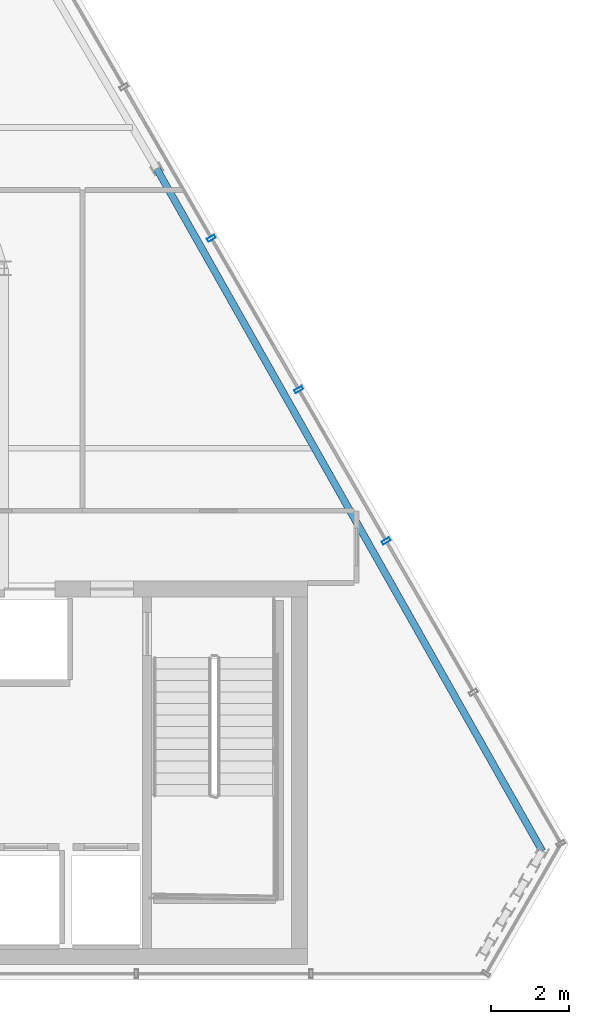
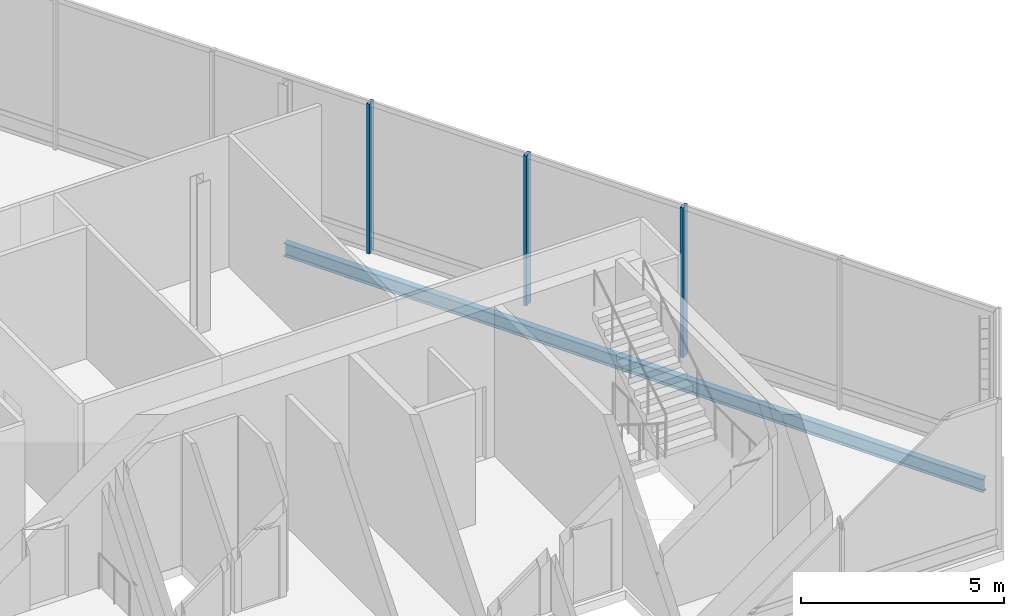
# One storey, part 15 of 25: 3 members, 1 beam, 1 element without a shape of its own.
"""IFC4 building model written with IfcOpenShell, lengths in metres."""

from ifc_helpers import new_model, si_unit, direction, frame, origin, origin_2d, place, context, subcontext, project, spatial, hollow_rectangle, i_section, extrude, material, layer, layer_set, material_profile, profile_set, type_object, element, aggregate, save


model = new_model("IFC4")

# Units and contexts
model_context = context("Model", 3, precision=1e-05, world=origin(), true_north=direction((0.0, 1.0)))
body_context = subcontext(model_context, "Body", "Model", "MODEL_VIEW")
ifc_project = project(units=[si_unit("LENGTHUNIT", "METRE"), si_unit("AREAUNIT", "SQUARE_METRE"), si_unit("VOLUMEUNIT", "CUBIC_METRE"), si_unit("PLANEANGLEUNIT", "RADIAN"), si_unit("MASSUNIT", "GRAM", prefix="KILO")], contexts=[model_context])

# Site, building, storey
site_placement = place(None, origin())
site = spatial("IfcSite", under=ifc_project, at=site_placement, CompositionType="ELEMENT")
building_placement = place(site_placement, origin())
building = spatial("IfcBuilding", under=site, at=building_placement, Name="Ndaravel Arena Tower", CompositionType="ELEMENT")
storey_placement = place(building_placement, frame((0.0, 0.0, 298.5)))
storey = spatial("IfcBuildingStorey", under=building, at=storey_placement, Name="L73", CompositionType="ELEMENT", Elevation=298.5)

# Beam
ifc_material_1 = material(Name="Steel S355", Category="steel")
ifc_material_profile_1 = material_profile(ifc_material_1, i_section(OverallWidth=0.179931640625, OverallDepth=0.39990234375, WebThickness=0.008544921875, FlangeThickness=0.013427734375, FilletRadius=0.02099609375, at=origin_2d()), Name="IPE 400")
ifc_profile_set_1 = profile_set([ifc_material_profile_1], Name="Steel S355")
beam_type = type_object("IfcBeamType", Name="BM-SPAN-IPE400", PredefinedType="SPANDREL", material=ifc_profile_set_1)
beam_placement = place(storey_placement, frame((63.556884765625, 8.29736328125, -0.47998046875), z_axis=(-0.491859734606, 0.870674452062, 0.0), x_axis=(-0.870674452062, -0.491859734606, 0.0)))
element("IfcBeam", 1, at=beam_placement, inside=storey, type_object=beam_type, Name="L73 Perimeter Spandrel Beam SP-09", PredefinedType="SPANDREL", context=body_context, shape_type="SweptSolid", body=[
    extrude(i_section(OverallWidth=0.179931640625, OverallDepth=0.39990234375, WebThickness=0.008544921875, FlangeThickness=0.013427734375, FilletRadius=0.02099609375, at=origin_2d()), origin(), (0.0, 0.0, 1.0), 20.03955078125),
])

# Curtain wall, members
ifc_material_2 = material(Name="Aluminium", Category="aluminium")
ifc_layer = layer(ifc_material_2, 0.179931640625)
ifc_layer_set = layer_set([ifc_layer], Name="Aluminium")
curtain_wall_type = type_object("IfcCurtainWallType", Name="CW-SYS-04", PredefinedType="NOTDEFINED", material=ifc_layer_set)
curtain_wall_placement = place(storey_placement, origin())
curtain_wall = element("IfcCurtainWall", 2, at=curtain_wall_placement, inside=storey, type_object=curtain_wall_type, Name="L73 Faceted Crystal Curtain Wall CW-L73-E03", PredefinedType="NOTDEFINED")
ifc_material_3 = material(Name="Aluminium", Category="aluminium")
ifc_material_profile_2 = material_profile(ifc_material_3, hollow_rectangle(XDim=0.090087890625, YDim=0.219970703125, WallThickness=0.0048828125, at=origin_2d()), Name="CW MULLION 90x220x5")
ifc_profile_set_2 = profile_set([ifc_material_profile_2], Name="Aluminium")
member_type = type_object("IfcMemberType", Name="MEM-CW-MUL220", PredefinedType="MULLION", material=ifc_profile_set_2)
member_1_placement = place(storey_placement, frame((59.564697265625, 16.2275390625, 0.0), z_axis=(0.0, 0.0, 1.0), x_axis=(-0.5, 0.866025403784, 0.0)))
member_1 = element("IfcMember", 3, at=member_1_placement, type_object=member_type, Name="CW-L73-E03 Mullion 02", PredefinedType="MULLION", context=body_context, shape_type="SweptSolid", body=[
    extrude(hollow_rectangle(XDim=0.090087890625, YDim=0.219970703125, WallThickness=0.0048828125, at=origin_2d()), origin(), (0.0, 0.0, 1.0), 4.52001953125),
])
member_2_placement = place(storey_placement, frame((57.329833984375, 20.0986328125, 0.0), z_axis=(0.0, 0.0, 1.0), x_axis=(-0.5, 0.866025403784, 0.0)))
member_2 = element("IfcMember", 4, at=member_2_placement, type_object=member_type, Name="CW-L73-E03 Mullion 03", PredefinedType="MULLION", context=body_context, shape_type="SweptSolid", body=[
    extrude(hollow_rectangle(XDim=0.090087890625, YDim=0.219970703125, WallThickness=0.0048828125, at=origin_2d()), origin(), (0.0, 0.0, 1.0), 4.52001953125),
])
member_3_placement = place(storey_placement, frame((55.0947265625, 23.9697265625, 0.0), z_axis=(0.0, 0.0, 1.0), x_axis=(-0.5, 0.866025403784, 0.0)))
member_3 = element("IfcMember", 5, at=member_3_placement, type_object=member_type, Name="CW-L73-E03 Mullion 04", PredefinedType="MULLION", context=body_context, shape_type="SweptSolid", body=[
    extrude(hollow_rectangle(XDim=0.090087890625, YDim=0.219970703125, WallThickness=0.0048828125, at=origin_2d()), origin(), (0.0, 0.0, 1.0), 4.52001953125),
])
aggregate(curtain_wall, [member_1, member_2, member_3])

save(model, "model.ifc")
